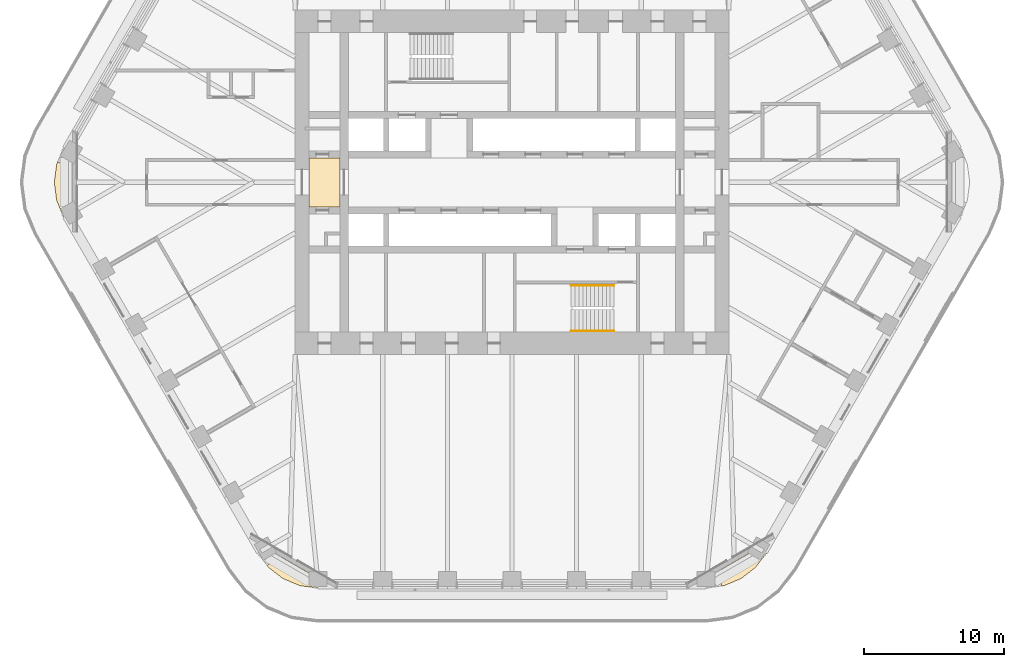
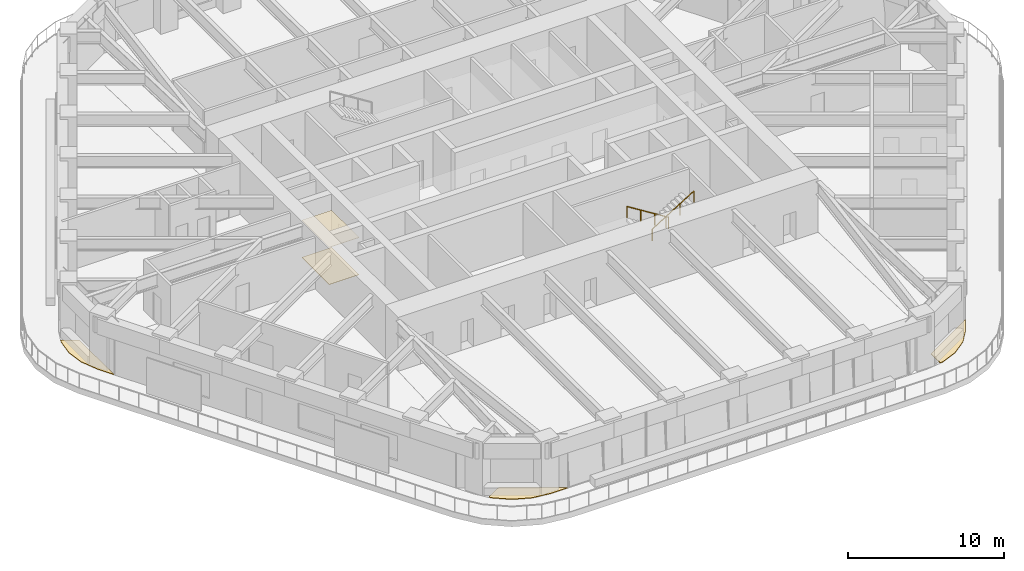
# One storey, part 18 of 20: 5 coverings, 2 railings.
"""IFC4 building model written with IfcOpenShell, lengths in metres."""

from ifc_helpers import new_model, si_unit, direction, frame, origin, origin_2d, place, context, subcontext, project, spatial, polyline, circle, outline, extrude, material, layer, layer_set, type_object, element, save


model = new_model("IFC4")

# Units and contexts
model_context = context("Model", 3, precision=1e-05, world=origin(), true_north=direction((0.0, 1.0)))
body_context = subcontext(model_context, "Body", "Model", "MODEL_VIEW")
ifc_project = project(units=[si_unit("LENGTHUNIT", "METRE"), si_unit("AREAUNIT", "SQUARE_METRE"), si_unit("VOLUMEUNIT", "CUBIC_METRE"), si_unit("PLANEANGLEUNIT", "RADIAN"), si_unit("MASSUNIT", "GRAM", prefix="KILO")], contexts=[model_context])

# Site, building, storey
site_placement = place(None, origin())
site = spatial("IfcSite", under=ifc_project, at=site_placement, CompositionType="ELEMENT")
building_placement = place(site_placement, origin())
building = spatial("IfcBuilding", under=site, at=building_placement, Name="Tarfa Lantern Tower", CompositionType="ELEMENT")
storey_placement = place(building_placement, frame((0.0, 0.0, 253.300048828125)))
storey = spatial("IfcBuildingStorey", under=building, at=storey_placement, Name="L57", CompositionType="ELEMENT", Elevation=253.300048828125)

# Coverings
ifc_material_1 = material(Name="Powder-coated aluminium panel", Category="aluminium")
ifc_layer_1 = layer(ifc_material_1, 0.030029296875)
ifc_layer_set_1 = layer_set([ifc_layer_1], Name="CL3 METAL PANEL CEILING 30")
covering_type_1 = type_object("IfcCoveringType", Name="CL3 METAL PANEL CEILING 30", PredefinedType="CEILING", material=ifc_layer_set_1)
covering_1_placement = place(storey_placement, frame((0.0, 0.0, 2.89990234375)))
element("IfcCovering", 1, at=covering_1_placement, inside=storey, type_object=covering_type_1, Name="Ceiling L57-01", PredefinedType="CEILING", context=body_context, shape_type="SweptSolid", body=[
    extrude(outline(polyline([(-14.5, -1.75), (-12.300048828125, -1.75), (-12.300048828125, 1.75), (-14.5, 1.75), (-14.5, -1.75)])), origin(), (0.0, 0.0, 1.0), 0.030029296875),
])
ifc_material_2 = material(Name="Honed limestone flooring", Category="masonry")
ifc_layer_2 = layer(ifc_material_2, 0.030029296875)
ifc_layer_set_2 = layer_set([ifc_layer_2], Name="FL2 STONE FLOORING 30")
covering_type_2 = type_object("IfcCoveringType", Name="FL2 STONE FLOORING 30", PredefinedType="FLOORING", material=ifc_layer_set_2)
covering_2_placement = place(storey_placement, origin())
element("IfcCovering", 2, at=covering_2_placement, inside=storey, type_object=covering_type_2, Name="Floor finish L57-01", PredefinedType="FLOORING", context=body_context, shape_type="SweptSolid", body=[
    extrude(outline(polyline([(-14.5, -1.75), (-12.300048828125, -1.75), (-12.300048828125, 1.75), (-14.5, 1.75), (-14.5, -1.75)])), origin(), (0.0, 0.0, 1.0), 0.030029296875),
])

# Railings
ifc_material_3 = material(Name="Stainless steel", Category="steel")
railing_type = type_object("IfcRailingType", Name="HR1 HANDRAIL 900", PredefinedType="HANDRAIL", material=ifc_material_3)
railing_1_placement = place(storey_placement, frame((7.300048828125, -7.3798828125, 0.175048828125)))
element("IfcRailing", 3, at=railing_1_placement, inside=storey, type_object=railing_type, Name="Handrail 1", PredefinedType="HANDRAIL", context=body_context, shape_type="SweptSolid", body=[
    extrude(circle(Radius=0.02392578125, at=origin_2d()), frame((0.0, 0.0, 0.8759765625), z_axis=(-0.848028513186, 0.0, 0.529950602248), x_axis=(0.0, -1.0, 0.0)), (0.0, 0.0, 1.0), 3.632080078125),
    extrude(circle(Radius=0.02099609375, at=origin_2d()), frame((0.0, 0.0, 0.0), z_axis=(0.0, 0.0, 1.0), x_axis=(0.0, -1.0, 0.0)), (0.0, 0.0, 1.0), 0.851806640625),
    extrude(circle(Radius=0.02099609375, at=origin_2d()), frame((-1.026611328125, 0.0, 0.6416015625), z_axis=(0.0, 0.0, 1.0), x_axis=(0.0, -1.0, 0.0)), (0.0, 0.0, 1.0), 0.851806640625),
    extrude(circle(Radius=0.02099609375, at=origin_2d()), frame((-2.053466796875, 0.0, 1.283203125), z_axis=(0.0, 0.0, 1.0), x_axis=(0.0, -1.0, 0.0)), (0.0, 0.0, 1.0), 0.851806640625),
    extrude(circle(Radius=0.02099609375, at=origin_2d()), frame((-3.080078125, 0.0, 1.9248046875), z_axis=(0.0, 0.0, 1.0), x_axis=(0.0, -1.0, 0.0)), (0.0, 0.0, 1.0), 0.851806640625),
])
railing_2_placement = place(storey_placement, frame((4.219970703125, -10.6201171875, 2.27490234375)))
element("IfcRailing", 4, at=railing_2_placement, inside=storey, type_object=railing_type, Name="Handrail 2", PredefinedType="HANDRAIL", context=body_context, shape_type="SweptSolid", body=[
    extrude(circle(Radius=0.02392578125, at=origin_2d()), frame((0.0, 0.0, 0.8759765625), z_axis=(0.847998304005, 0.0, 0.529998940003), x_axis=(0.0, 1.0, 0.0)), (0.0, 0.0, 1.0), 3.632080078125),
    extrude(circle(Radius=0.02099609375, at=origin_2d()), frame((0.0, 0.0, 0.0), z_axis=(0.0, 0.0, 1.0), x_axis=(0.0, 1.0, 0.0)), (0.0, 0.0, 1.0), 0.851806640625),
    extrude(circle(Radius=0.02099609375, at=origin_2d()), frame((1.026611328125, 0.0, 0.6416015625), z_axis=(0.0, 0.0, 1.0), x_axis=(0.0, 1.0, 0.0)), (0.0, 0.0, 1.0), 0.851806640625),
    extrude(circle(Radius=0.02099609375, at=origin_2d()), frame((2.053466796875, 0.0, 1.283447265625), z_axis=(0.0, 0.0, 1.0), x_axis=(0.0, 1.0, 0.0)), (0.0, 0.0, 1.0), 0.851806640625),
    extrude(circle(Radius=0.02099609375, at=origin_2d()), frame((3.080078125, 0.0, 1.925048828125), z_axis=(0.0, 0.0, 1.0), x_axis=(0.0, 1.0, 0.0)), (0.0, 0.0, 1.0), 0.851806640625),
])

# Coverings
ifc_material_4 = material(Name="Porcelain pavers on pedestals", Category="ceramic")
ifc_layer_3 = layer(ifc_material_4, 0.0400390625)
ifc_layer_set_3 = layer_set([ifc_layer_3], Name="LP1 LOGGIA PAVING 40")
covering_type_3 = type_object("IfcCoveringType", Name="LP1 LOGGIA PAVING 40", PredefinedType="FLOORING", material=ifc_layer_set_3)
covering_3_placement = place(storey_placement, origin())
element("IfcCovering", 5, at=covering_3_placement, inside=storey, type_object=covering_type_3, Name="Sky garden paving NW-SW", PredefinedType="FLOORING", context=body_context, shape_type="SweptSolid", body=[
    extrude(outline(polyline([(-32.54248046875, -1.294189453125), (-32.712890625, 0.0), (-32.54248046875, 1.294189453125), (-32.467529296875, 1.474853515625), (-31.43310546875, 0.877685546875), (-31.43310546875, -3.55078125), (-31.436279296875, -3.55078125), (-32.04296875, -2.5), (-32.54248046875, -1.294189453125)])), origin(), (0.0, 0.0, 1.0), 0.0400390625),
])
covering_4_placement = place(storey_placement, origin())
element("IfcCovering", 6, at=covering_4_placement, inside=storey, type_object=covering_type_3, Name="Sky garden paving SW-S", PredefinedType="FLOORING", context=body_context, shape_type="SweptSolid", body=[
    extrude(outline(polyline([(-15.150390625, -28.82958984375), (-16.3564453125, -28.330078125), (-17.391845703125, -27.53564453125), (-17.51123046875, -27.380126953125), (-16.4765625, -26.782958984375), (-12.641357421875, -28.997314453125), (-12.64306640625, -29.0), (-13.8564453125, -29.0), (-15.150390625, -28.82958984375)])), origin(), (0.0, 0.0, 1.0), 0.0400390625),
])
covering_5_placement = place(storey_placement, origin())
element("IfcCovering", 7, at=covering_5_placement, inside=storey, type_object=covering_type_3, Name="Sky garden paving S-SE", PredefinedType="FLOORING", context=body_context, shape_type="SweptSolid", body=[
    extrude(outline(polyline([(17.391845703125, -27.53564453125), (16.3564453125, -28.330078125), (15.150390625, -28.82958984375), (14.956298828125, -28.855224609375), (14.956298828125, -27.66064453125), (18.791748046875, -25.4462890625), (18.793212890625, -25.44921875), (18.1865234375, -26.5), (17.391845703125, -27.53564453125)])), origin(), (0.0, 0.0, 1.0), 0.0400390625),
])

save(model, "model.ifc")
